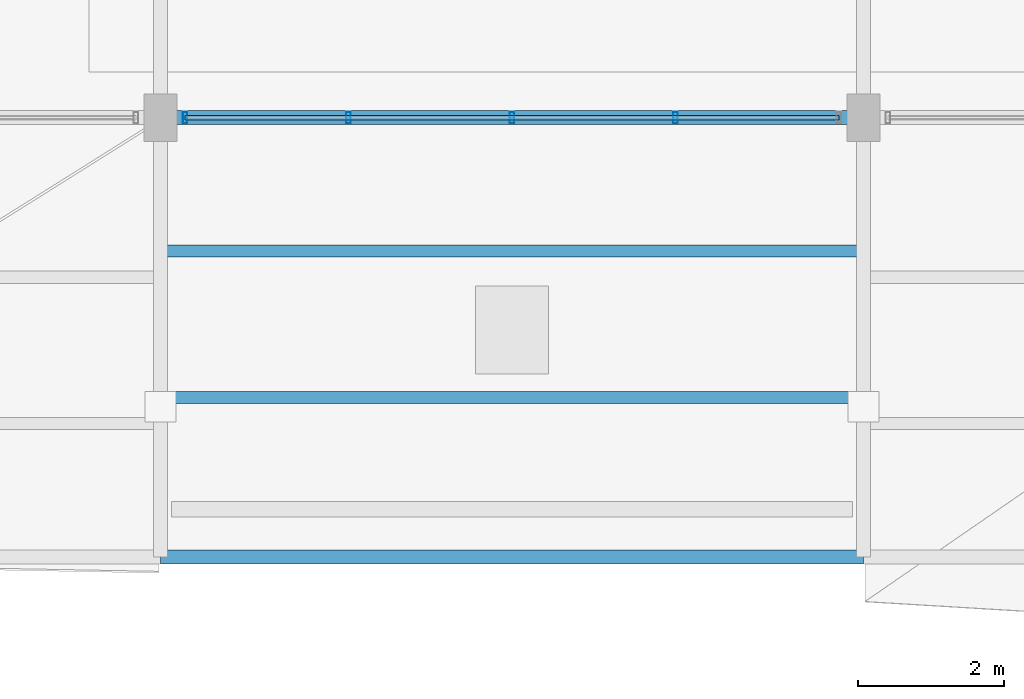
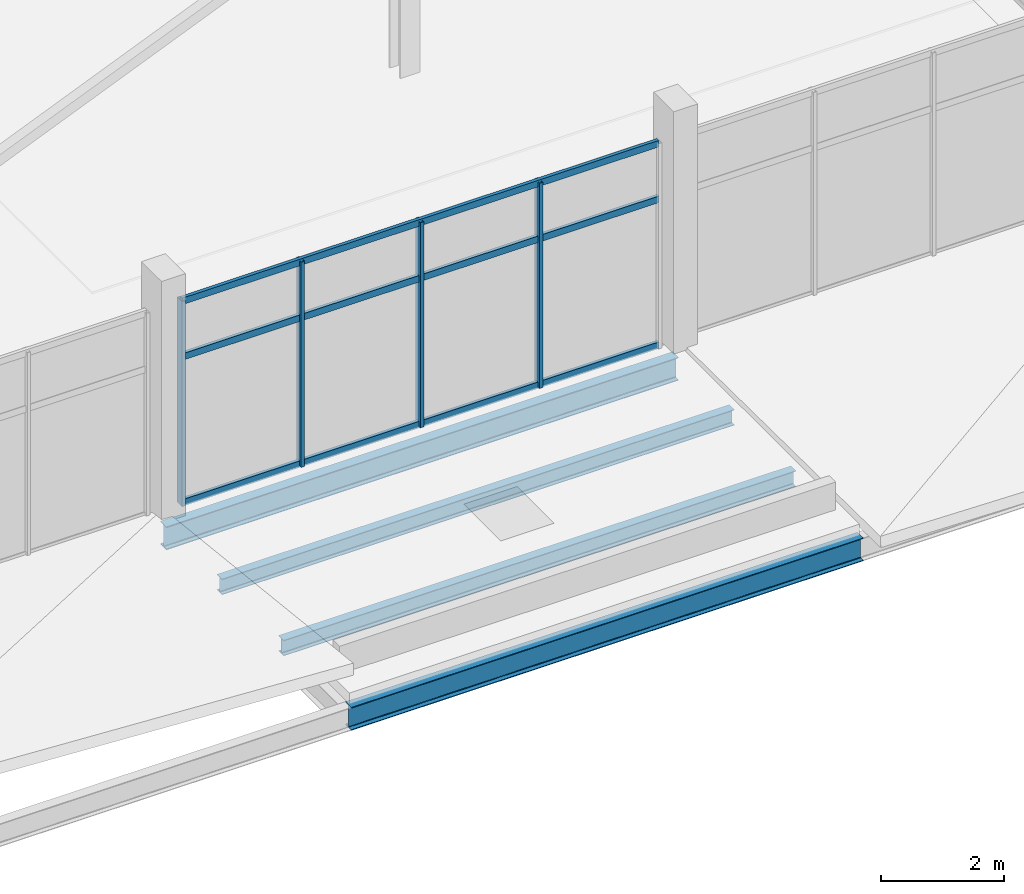
# One storey, part 18 of 157: 7 members, 4 beams, 1 element without a shape of its own.
"""IFC4 building model written with IfcOpenShell, lengths in metres."""

from ifc_helpers import new_model, si_unit, direction, frame, origin, origin_2d, place, context, subcontext, project, spatial, hollow_rectangle, i_section, extrude, material, layer, layer_set, material_profile, profile_set, type_object, element, aggregate, save


model = new_model("IFC4")

# Units and contexts
model_context = context("Model", 3, precision=1e-05, world=origin(), true_north=direction((0.0, 1.0)))
body_context = subcontext(model_context, "Body", "Model", "MODEL_VIEW")
ifc_project = project(units=[si_unit("LENGTHUNIT", "METRE"), si_unit("AREAUNIT", "SQUARE_METRE"), si_unit("VOLUMEUNIT", "CUBIC_METRE"), si_unit("PLANEANGLEUNIT", "RADIAN"), si_unit("MASSUNIT", "GRAM", prefix="KILO")], contexts=[model_context])

# Site, building, storey
site_placement = place(None, origin())
site = spatial("IfcSite", under=ifc_project, at=site_placement, CompositionType="ELEMENT")
building_placement = place(site_placement, origin())
building = spatial("IfcBuilding", under=site, at=building_placement, Name="Chalmorin Arch Market", CompositionType="ELEMENT")
storey_placement = place(building_placement, frame((0.0, 0.0, 4.800048828125)))
storey = spatial("IfcBuildingStorey", under=building, at=storey_placement, Name="L01", CompositionType="ELEMENT", Elevation=4.800048828125)

# Curtain wall, members
ifc_material_1 = material(Name="Aluminium 6063-T6", Category="aluminium")
ifc_layer = layer(ifc_material_1, 0.159912109375)
ifc_layer_set = layer_set([ifc_layer], Name="Aluminium 6063-T6")
curtain_wall_type = type_object("IfcCurtainWallType", Name="RiverfrontStorefrontCurtainWall-CW2-8930x4070", PredefinedType="NOTDEFINED", material=ifc_layer_set)
curtain_wall_placement = place(storey_placement, origin())
curtain_wall = element("IfcCurtainWall", 1, at=curtain_wall_placement, inside=storey, type_object=curtain_wall_type, Name="CW-02-096", PredefinedType="NOTDEFINED")
ifc_material_profile_1 = material_profile(ifc_material_1, hollow_rectangle(XDim=0.06494140625, YDim=0.159912109375, WallThickness=0.00390625, at=origin_2d()), Name="ALU65X160X4")
ifc_profile_set_1 = profile_set([ifc_material_profile_1], Name="Aluminium 6063-T6")
member_type_1 = type_object("IfcMemberType", Name="CurtainWallMullion-65x160", PredefinedType="MULLION", material=ifc_profile_set_1)
member_1_placement = place(storey_placement, frame((19.534912109375, 6.0, 0.0), z_axis=(0.0, 0.0, 1.0), x_axis=(1.0, 0.0, 0.0)))
member_1 = element("IfcMember", 2, at=member_1_placement, type_object=member_type_1, Name="ML-096-01", PredefinedType="MULLION", context=body_context, shape_type="SweptSolid", body=[
    extrude(hollow_rectangle(XDim=0.06494140625, YDim=0.159912109375, WallThickness=0.00390625, at=origin_2d()), origin(), (0.0, 0.0, 1.0), 4.06591796875),
])
member_2_placement = place(storey_placement, frame((21.767578125, 6.0, 0.0), z_axis=(0.0, 0.0, 1.0), x_axis=(1.0, 0.0, 0.0)))
member_2 = element("IfcMember", 3, at=member_2_placement, type_object=member_type_1, Name="ML-096-02", PredefinedType="MULLION", context=body_context, shape_type="SweptSolid", body=[
    extrude(hollow_rectangle(XDim=0.06494140625, YDim=0.159912109375, WallThickness=0.00390625, at=origin_2d()), origin(), (0.0, 0.0, 1.0), 4.06591796875),
])
member_3_placement = place(storey_placement, frame((24.0, 6.0, 0.0), z_axis=(0.0, 0.0, 1.0), x_axis=(1.0, 0.0, 0.0)))
member_3 = element("IfcMember", 4, at=member_3_placement, type_object=member_type_1, Name="ML-096-03", PredefinedType="MULLION", context=body_context, shape_type="SweptSolid", body=[
    extrude(hollow_rectangle(XDim=0.06494140625, YDim=0.159912109375, WallThickness=0.00390625, at=origin_2d()), origin(), (0.0, 0.0, 1.0), 4.06591796875),
])
member_4_placement = place(storey_placement, frame((26.232421875, 6.0, 0.0), z_axis=(0.0, 0.0, 1.0), x_axis=(1.0, 0.0, 0.0)))
member_4 = element("IfcMember", 5, at=member_4_placement, type_object=member_type_1, Name="ML-096-04", PredefinedType="MULLION", context=body_context, shape_type="SweptSolid", body=[
    extrude(hollow_rectangle(XDim=0.06494140625, YDim=0.159912109375, WallThickness=0.00390625, at=origin_2d()), origin(), (0.0, 0.0, 1.0), 4.06591796875),
])
ifc_material_profile_2 = material_profile(ifc_material_1, hollow_rectangle(XDim=0.06494140625, YDim=0.1298828125, WallThickness=0.00390625, at=origin_2d()), Name="ALU65X130X4")
ifc_profile_set_2 = profile_set([ifc_material_profile_2], Name="Aluminium 6063-T6")
member_type_2 = type_object("IfcMemberType", Name="CurtainWallTransom-65x130", PredefinedType="USERDEFINED", material=ifc_profile_set_2)
member_5_placement = place(storey_placement, frame((19.534912109375, 6.0, 0.034912109375), z_axis=(1.0, 0.0, 0.0), x_axis=(0.0, 1.0, 0.0)))
member_5 = element("IfcMember", 6, at=member_5_placement, type_object=member_type_2, Name="TR-096-01", ObjectType="TRANSOM", PredefinedType="USERDEFINED", context=body_context, shape_type="SweptSolid", body=[
    extrude(hollow_rectangle(XDim=0.06494140625, YDim=0.1298828125, WallThickness=0.00390625, at=origin_2d()), origin(), (0.0, 0.0, 1.0), 8.93017578125),
])
member_6_placement = place(storey_placement, frame((19.534912109375, 6.0, 2.927490234375), z_axis=(1.0, 0.0, 0.0), x_axis=(0.0, 1.0, 0.0)))
member_6 = element("IfcMember", 7, at=member_6_placement, type_object=member_type_2, Name="TR-096-02", ObjectType="TRANSOM", PredefinedType="USERDEFINED", context=body_context, shape_type="SweptSolid", body=[
    extrude(hollow_rectangle(XDim=0.06494140625, YDim=0.1298828125, WallThickness=0.00390625, at=origin_2d()), origin(), (0.0, 0.0, 1.0), 8.93017578125),
])
member_7_placement = place(storey_placement, frame((19.534912109375, 6.0, 4.031005859375), z_axis=(1.0, 0.0, 0.0), x_axis=(0.0, 1.0, 0.0)))
member_7 = element("IfcMember", 8, at=member_7_placement, type_object=member_type_2, Name="TR-096-03", ObjectType="TRANSOM", PredefinedType="USERDEFINED", context=body_context, shape_type="SweptSolid", body=[
    extrude(hollow_rectangle(XDim=0.06494140625, YDim=0.1298828125, WallThickness=0.00390625, at=origin_2d()), origin(), (0.0, 0.0, 1.0), 8.93017578125),
])
aggregate(curtain_wall, [member_1, member_2, member_3, member_4, member_5, member_6, member_7])

# Beams
ifc_material_2 = material(Name="Steel A992 Grade 50", Category="steel")
ifc_material_profile_3 = material_profile(ifc_material_2, i_section(OverallWidth=0.19091796875, OverallDepth=0.45703125, WebThickness=0.009033203125, FlangeThickness=0.014404296875, FilletRadius=0.02001953125, at=origin_2d()), Name="W18X50")
ifc_profile_set_3 = profile_set([ifc_material_profile_3], Name="Steel A992 Grade 50")
beam_type_1 = type_object("IfcBeamType", Name="PerimeterSpandrelBeam-W18X50", PredefinedType="SPANDREL", material=ifc_profile_set_3)
for number, where, z_axis, x_axis, name in (
    (9, (19.199951171875, 6.0, -0.510498046875), (1.0, 0.0, 0.0), (0.0, 1.0, 0.0), "SP-W18-0823"),
    (10, (19.199951171875, 0.0, -0.450439453125), (1.0, 0.0, 0.0), (0.0, 1.0, 0.0), "SP-W18-1029"),
):
    element("IfcBeam", number, at=place(storey_placement, frame(where, z_axis=z_axis, x_axis=x_axis)), inside=storey, type_object=beam_type_1, Name=name, PredefinedType="SPANDREL", context=body_context, shape_type="SweptSolid", body=[
        extrude(i_section(OverallWidth=0.19091796875, OverallDepth=0.45703125, WebThickness=0.009033203125, FlangeThickness=0.014404296875, FilletRadius=0.02001953125, at=origin_2d()), origin(), (0.0, 0.0, 1.0), 9.60009765625),
    ])
ifc_material_profile_4 = material_profile(ifc_material_2, i_section(OverallWidth=0.1650390625, OverallDepth=0.31005859375, WebThickness=0.005859375, FlangeThickness=0.009765625, FilletRadius=0.014892578125, at=origin_2d()), Name="W12X26")
ifc_profile_set_4 = profile_set([ifc_material_profile_4], Name="Steel A992 Grade 50")
beam_type_2 = type_object("IfcBeamType", Name="SecondaryRoofJoist-W12X26", PredefinedType="JOIST", material=ifc_profile_set_4)
for number, where, z_axis, x_axis, name in (
    (11, (19.199951171875, 2.179931640625, -0.376953125), (1.0, 0.0, 0.0), (0.0, 1.0, 0.0), "BJ-W12-1056"),
    (12, (19.199951171875, 4.179931640625, -0.376953125), (1.0, 0.0, 0.0), (0.0, 1.0, 0.0), "BJ-W12-1057"),
):
    element("IfcBeam", number, at=place(storey_placement, frame(where, z_axis=z_axis, x_axis=x_axis)), inside=storey, type_object=beam_type_2, Name=name, PredefinedType="JOIST", context=body_context, shape_type="SweptSolid", body=[
        extrude(i_section(OverallWidth=0.1650390625, OverallDepth=0.31005859375, WebThickness=0.005859375, FlangeThickness=0.009765625, FilletRadius=0.014892578125, at=origin_2d()), origin(), (0.0, 0.0, 1.0), 9.60009765625),
    ])

save(model, "model.ifc")
